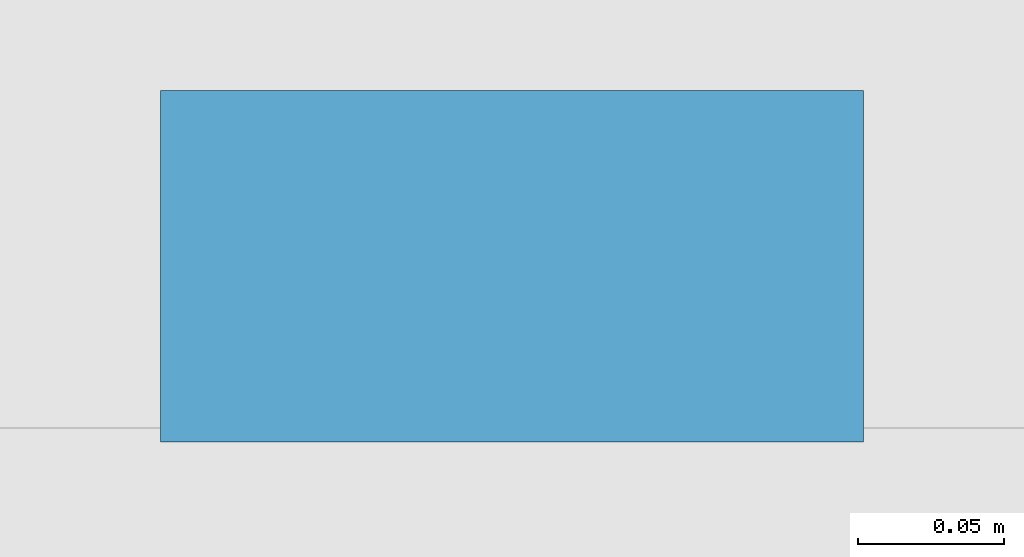
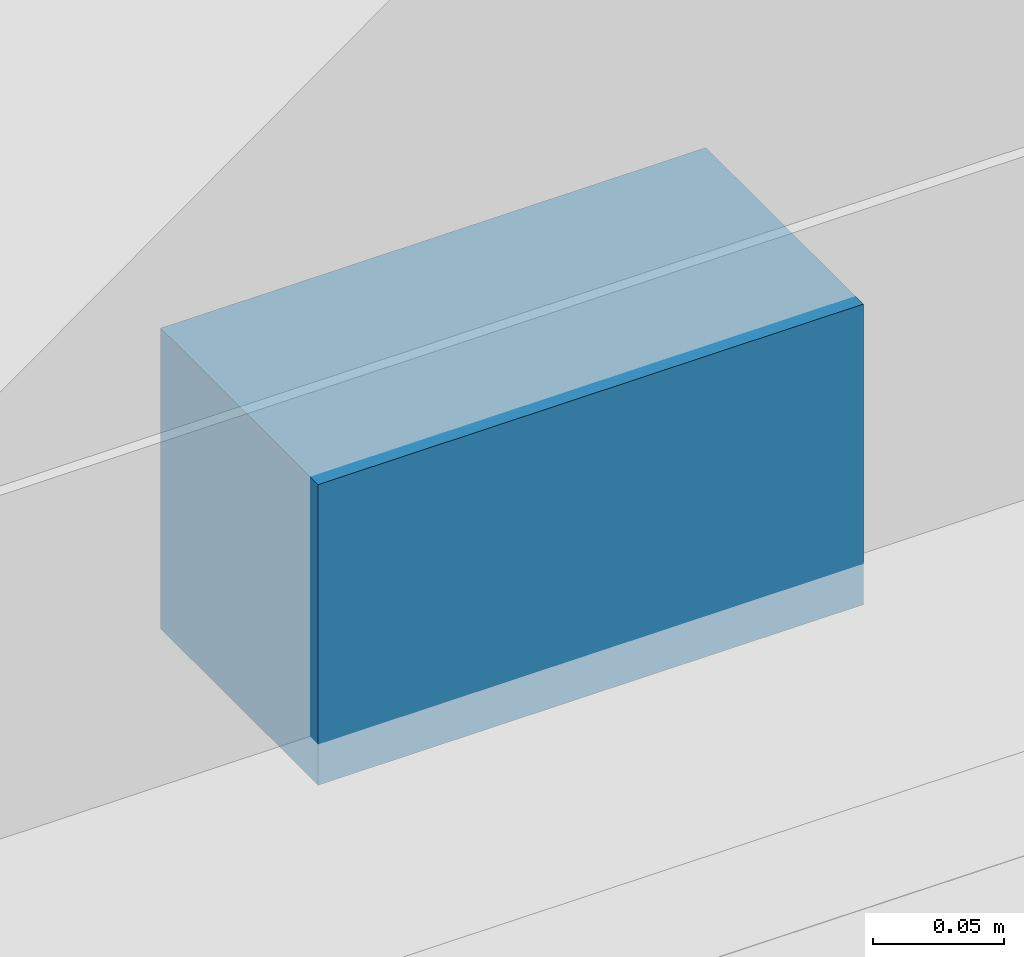
# One storey, part 88 of 125: 1 discrete accessory.
"""IFC4 building model written with IfcOpenShell, lengths in metres."""

from ifc_helpers import new_model, si_unit, direction, frame, origin, origin_2d, place, context, subcontext, project, spatial, rectangle, extrude, material, type_object, element, save


model = new_model("IFC4")

# Units and contexts
model_context = context("Model", 3, precision=1e-05, world=origin(), true_north=direction((0.0, 1.0)))
body_context = subcontext(model_context, "Body", "Model", "MODEL_VIEW")
ifc_project = project(units=[si_unit("LENGTHUNIT", "METRE"), si_unit("AREAUNIT", "SQUARE_METRE"), si_unit("VOLUMEUNIT", "CUBIC_METRE"), si_unit("PLANEANGLEUNIT", "RADIAN"), si_unit("MASSUNIT", "GRAM", prefix="KILO")], contexts=[model_context])

# Site, building, storey
site_placement = place(None, origin())
site = spatial("IfcSite", under=ifc_project, at=site_placement, CompositionType="ELEMENT")
building_placement = place(site_placement, origin())
building = spatial("IfcBuilding", under=site, at=building_placement, Name="Myrtia Square Station", CompositionType="ELEMENT")
storey_placement = place(building_placement, frame((0.0, 0.0, 6.0)))
storey = spatial("IfcBuildingStorey", under=building, at=storey_placement, Name="L01", CompositionType="ELEMENT", Elevation=6.0)

# Discrete accessory
ifc_material = material(Name="Steel S355", Category="steel")
discrete_accessory_type = type_object("IfcDiscreteAccessoryType", Name="ACC-BRACKET-BRONZE", PredefinedType="BRACKET", material=ifc_material)
discrete_accessory_placement = place(storey_placement, frame((120.451904296875, 124.830078125, 2.8798828125), z_axis=(0.0, 0.0, 1.0), x_axis=(1.0, 0.0, 0.0)))
element("IfcDiscreteAccessory", 1, at=discrete_accessory_placement, inside=storey, type_object=discrete_accessory_type, Name="Solar shading fixing bracket 043", PredefinedType="BRACKET", context=body_context, shape_type="SweptSolid", body=[
    extrude(rectangle(XDim=0.239990234375, YDim=0.1201171875, at=origin_2d()), origin(), (0.0, 0.0, 1.0), 0.139892578125),
])

save(model, "model.ifc")
